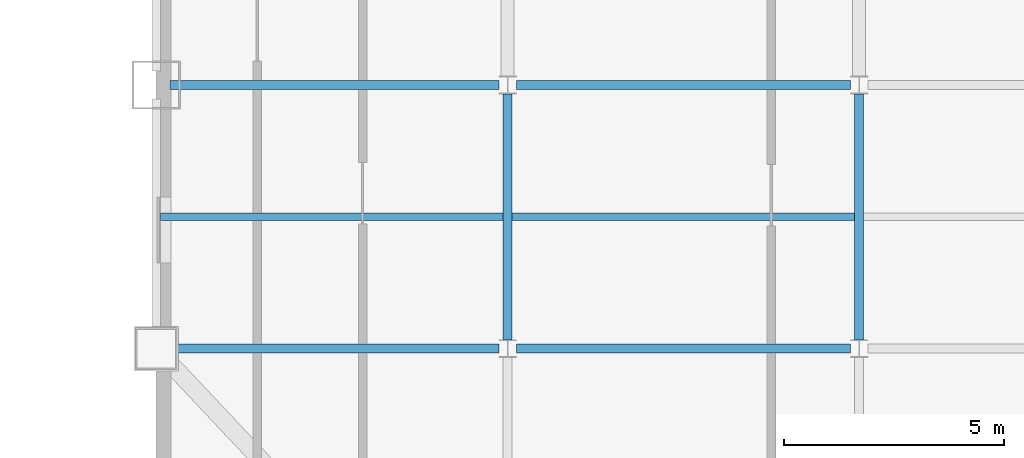
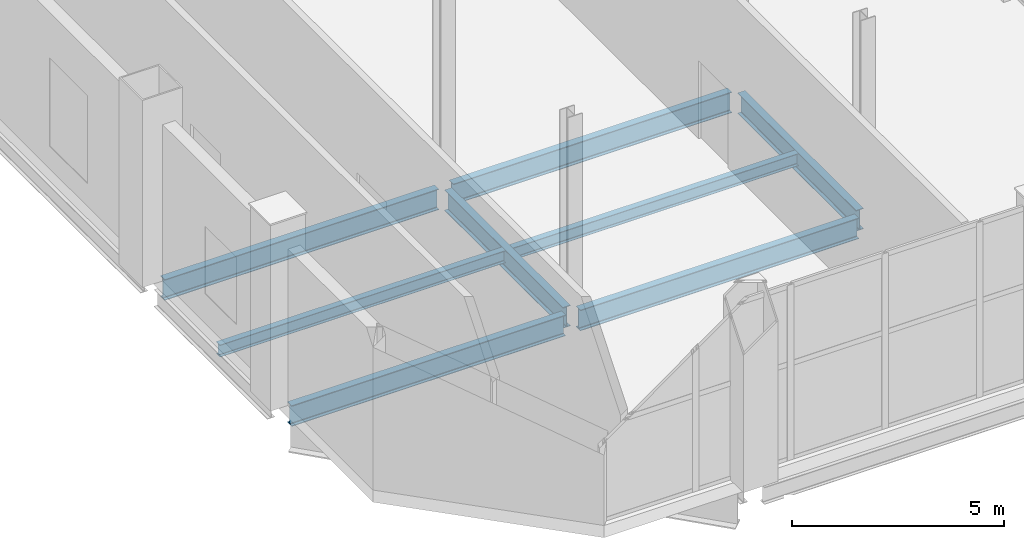
# One storey, part 9 of 24: 8 beams.
"""IFC4 building model written with IfcOpenShell, lengths in metres."""

from ifc_helpers import new_model, si_unit, direction, frame, origin, origin_2d, place, context, subcontext, project, spatial, i_section, extrude, material, material_profile, profile_set, type_object, element, save


model = new_model("IFC4")

# Units and contexts
model_context = context("Model", 3, precision=1e-05, world=origin(), true_north=direction((0.0, 1.0)))
body_context = subcontext(model_context, "Body", "Model", "MODEL_VIEW")
ifc_project = project(units=[si_unit("LENGTHUNIT", "METRE"), si_unit("AREAUNIT", "SQUARE_METRE"), si_unit("VOLUMEUNIT", "CUBIC_METRE"), si_unit("PLANEANGLEUNIT", "RADIAN"), si_unit("MASSUNIT", "GRAM", prefix="KILO")], contexts=[model_context])

# Site, building, storey
site_placement = place(None, origin())
site = spatial("IfcSite", under=ifc_project, at=site_placement, CompositionType="ELEMENT")
building_placement = place(site_placement, origin())
building = spatial("IfcBuilding", under=site, at=building_placement, Name="Qianrong Seaharbour Tower", CompositionType="ELEMENT")
storey_placement = place(building_placement, frame((0.0, 0.0, 195.0)))
storey = spatial("IfcBuildingStorey", under=building, at=storey_placement, Name="L47", CompositionType="ELEMENT", Elevation=195.0)

# Beams
ifc_material_1 = material(Name="Structural steel SN490B", Category="steel")
ifc_material_profile_1 = material_profile(ifc_material_1, i_section(OverallWidth=0.199951171875, OverallDepth=0.60009765625, WebThickness=0.010986328125, FlangeThickness=0.01708984375, FilletRadius=0.02197265625, at=origin_2d()), Name="H600x200x11x17")
ifc_profile_set_1 = profile_set([ifc_material_profile_1], Name="Structural steel SN490B")
beam_type_1 = type_object("IfcBeamType", Name="BM-G-600", PredefinedType="BEAM", material=ifc_profile_set_1)
beam_1_placement = place(storey_placement, frame((40.820068359375, 12.5, -0.64990234375), z_axis=(1.0, 0.0, 0.0), x_axis=(0.0, 1.0, 0.0)))
element("IfcBeam", 1, at=beam_1_placement, inside=storey, type_object=beam_type_1, Name="L47 Primary Girder GC G6-G7", PredefinedType="BEAM", context=body_context, shape_type="SweptSolid", body=[
    extrude(i_section(OverallWidth=0.199951171875, OverallDepth=0.60009765625, WebThickness=0.010986328125, FlangeThickness=0.01708984375, FilletRadius=0.02197265625, at=origin_2d()), origin(), (0.0, 0.0, 1.0), 7.47998046875),
])
beam_2_placement = place(storey_placement, frame((48.699951171875, 12.5, -0.64990234375), z_axis=(1.0, 0.0, 0.0), x_axis=(0.0, 1.0, 0.0)))
element("IfcBeam", 2, at=beam_2_placement, inside=storey, type_object=beam_type_1, Name="L47 Primary Girder GC G7-G8", PredefinedType="BEAM", context=body_context, shape_type="SweptSolid", body=[
    extrude(i_section(OverallWidth=0.199951171875, OverallDepth=0.60009765625, WebThickness=0.010986328125, FlangeThickness=0.01708984375, FilletRadius=0.02197265625, at=origin_2d()), origin(), (0.0, 0.0, 1.0), 7.60009765625),
])
beam_3_placement = place(storey_placement, frame((40.820068359375, 18.5, -0.64990234375), z_axis=(1.0, 0.0, 0.0), x_axis=(0.0, 1.0, 0.0)))
element("IfcBeam", 3, at=beam_3_placement, inside=storey, type_object=beam_type_1, Name="L47 Primary Girder GD G6-G7", PredefinedType="BEAM", context=body_context, shape_type="SweptSolid", body=[
    extrude(i_section(OverallWidth=0.199951171875, OverallDepth=0.60009765625, WebThickness=0.010986328125, FlangeThickness=0.01708984375, FilletRadius=0.02197265625, at=origin_2d()), origin(), (0.0, 0.0, 1.0), 7.47998046875),
])
beam_4_placement = place(storey_placement, frame((48.699951171875, 18.5, -0.64990234375), z_axis=(1.0, 0.0, 0.0), x_axis=(0.0, 1.0, 0.0)))
element("IfcBeam", 4, at=beam_4_placement, inside=storey, type_object=beam_type_1, Name="L47 Primary Girder GD G7-G8", PredefinedType="BEAM", context=body_context, shape_type="SweptSolid", body=[
    extrude(i_section(OverallWidth=0.199951171875, OverallDepth=0.60009765625, WebThickness=0.010986328125, FlangeThickness=0.01708984375, FilletRadius=0.02197265625, at=origin_2d()), origin(), (0.0, 0.0, 1.0), 7.60009765625),
])
for number, where, z_axis, x_axis, name in (
    (5, (48.5, 12.699951171875, -0.64990234375), (0.0, 1.0, 0.0), (-1.0, 0.0, 0.0), "L47 Primary Girder G7 GC-GD"),
    (6, (56.5, 12.699951171875, -0.64990234375), (0.0, 1.0, 0.0), (-1.0, 0.0, 0.0), "L47 Primary Girder G8 GC-GD"),
):
    element("IfcBeam", number, at=place(storey_placement, frame(where, z_axis=z_axis, x_axis=x_axis)), inside=storey, type_object=beam_type_1, Name=name, PredefinedType="BEAM", context=body_context, shape_type="SweptSolid", body=[
        extrude(i_section(OverallWidth=0.199951171875, OverallDepth=0.60009765625, WebThickness=0.010986328125, FlangeThickness=0.01708984375, FilletRadius=0.02197265625, at=origin_2d()), origin(), (0.0, 0.0, 1.0), 5.60009765625),
    ])
ifc_material_2 = material(Name="Structural steel SN400B", Category="steel")
ifc_material_profile_2 = material_profile(ifc_material_2, i_section(OverallWidth=0.175048828125, OverallDepth=0.35009765625, WebThickness=0.007080078125, FlangeThickness=0.010986328125, FilletRadius=0.013916015625, at=origin_2d()), Name="H350x175x7x11")
ifc_profile_set_2 = profile_set([ifc_material_profile_2], Name="Structural steel SN400B")
beam_type_2 = type_object("IfcBeamType", Name="BM-J-350", PredefinedType="JOIST", material=ifc_profile_set_2)
for number, where, z_axis, x_axis, name in (
    (7, (40.60009765625, 15.5, -0.52490234375), (1.0, 0.0, 0.0), (0.0, 1.0, 0.0), "L47 Composite Floor Joist G6-G7/GC-GD"),
    (8, (48.60009765625, 15.5, -0.52490234375), (1.0, 0.0, 0.0), (0.0, 1.0, 0.0), "L47 Composite Floor Joist G7-G8/GC-GD"),
):
    element("IfcBeam", number, at=place(storey_placement, frame(where, z_axis=z_axis, x_axis=x_axis)), inside=storey, type_object=beam_type_2, Name=name, PredefinedType="JOIST", context=body_context, shape_type="SweptSolid", body=[
        extrude(i_section(OverallWidth=0.175048828125, OverallDepth=0.35009765625, WebThickness=0.007080078125, FlangeThickness=0.010986328125, FilletRadius=0.013916015625, at=origin_2d()), origin(), (0.0, 0.0, 1.0), 7.7998046875),
    ])

save(model, "model.ifc")
